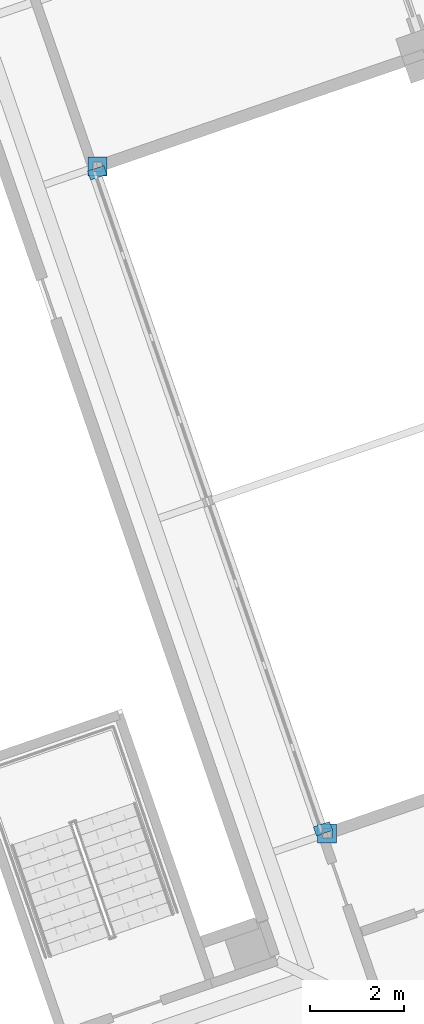
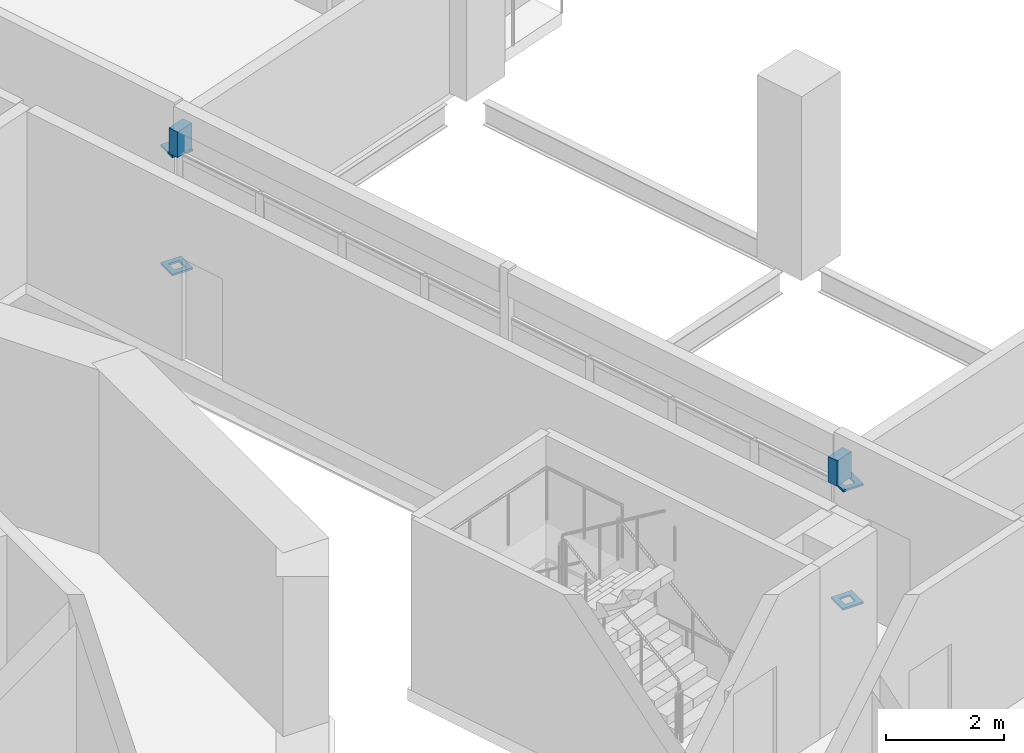
# One storey, part 15 of 22: 6 discrete accessories.
"""IFC4 building model written with IfcOpenShell, lengths in metres."""

from ifc_helpers import new_model, si_unit, direction, frame, origin, place, context, subcontext, project, spatial, polyline, outline, extrude, material, layer, layer_set, type_object, element, save


model = new_model("IFC4")

# Units and contexts
model_context = context("Model", 3, precision=1e-05, world=origin(), true_north=direction((0.0, 1.0)))
body_context = subcontext(model_context, "Body", "Model", "MODEL_VIEW")
ifc_project = project(units=[si_unit("LENGTHUNIT", "METRE"), si_unit("AREAUNIT", "SQUARE_METRE"), si_unit("VOLUMEUNIT", "CUBIC_METRE"), si_unit("PLANEANGLEUNIT", "RADIAN"), si_unit("MASSUNIT", "GRAM", prefix="KILO")], contexts=[model_context])

# Site, building, storey
site_placement = place(None, origin())
site = spatial("IfcSite", under=ifc_project, at=site_placement, CompositionType="ELEMENT")
building_placement = place(site_placement, origin())
building = spatial("IfcBuilding", under=site, at=building_placement, Name="Cantera Rosa Tower", CompositionType="ELEMENT")
storey_placement = place(building_placement, frame((0.0, 0.0, 115.5)))
storey = spatial("IfcBuildingStorey", under=building, at=storey_placement, Name="L23", CompositionType="ELEMENT", Elevation=115.5)

# Discrete accessories
ifc_material = material(Name="Steel ASTM A992 (Fy 345 MPa)", Category="steel")
ifc_layer = layer(ifc_material, 0.0400390625)
ifc_layer_set = layer_set([ifc_layer], Name="STEEL BEARING PLATE 40")
discrete_accessory_type = type_object("IfcDiscreteAccessoryType", Name="STEEL BEARING PLATE 40", PredefinedType="ANCHORPLATE", material=ifc_layer_set)
for number, where, name in (
    (1, (0.0, 0.0, 0.0), "POST PLATE L23-1F"),
    (2, (0.0, 0.0, 2.44189453125), "POST PLATE L23-1T"),
):
    element("IfcDiscreteAccessory", number, at=place(storey_placement, frame(where)), inside=storey, type_object=discrete_accessory_type, Name=name, PredefinedType="ANCHORPLATE", context=body_context, shape_type="SweptSolid", body=[
        extrude(outline(polyline([(21.248291015625, -4.744873046875), (21.648193359375, -4.744873046875), (21.648193359375, -4.3447265625), (21.248291015625, -4.3447265625), (21.248291015625, -4.744873046875)]), holes=[polyline([(21.34814453125, -4.644775390625), (21.548095703125, -4.644775390625), (21.548095703125, -4.44482421875), (21.34814453125, -4.44482421875), (21.34814453125, -4.644775390625)])]), origin(), (0.0, 0.0, 1.0), 0.0400390625),
    ])
for number, where, name in (
    (3, (0.0, 0.0, 0.0), "POST PLATE L23-2F"),
    (4, (0.0, 0.0, 2.44189453125), "POST PLATE L23-2T"),
):
    element("IfcDiscreteAccessory", number, at=place(storey_placement, frame(where)), inside=storey, type_object=discrete_accessory_type, Name=name, PredefinedType="ANCHORPLATE", context=body_context, shape_type="SweptSolid", body=[
        extrude(outline(polyline([(16.3515625, 9.475830078125), (16.751708984375, 9.475830078125), (16.751708984375, 9.875732421875), (16.3515625, 9.875732421875), (16.3515625, 9.475830078125)]), holes=[polyline([(16.45166015625, 9.57568359375), (16.651611328125, 9.57568359375), (16.651611328125, 9.77587890625), (16.45166015625, 9.77587890625), (16.45166015625, 9.57568359375)])]), origin(), (0.0, 0.0, 1.0), 0.0400390625),
    ])
discrete_accessory_1_placement = place(storey_placement, frame((0.0, 0.0, 2.48193359375)))
element("IfcDiscreteAccessory", 5, at=discrete_accessory_1_placement, inside=storey, type_object=discrete_accessory_type, Name="LINTEL PLATE L23-1", PredefinedType="ANCHORPLATE", context=body_context, shape_type="SweptSolid", body=[
    extrude(outline(polyline([(21.154541015625, -4.407958984375), (21.2197265625, -4.596923828125), (21.56591796875, -4.477783203125), (21.500732421875, -4.288818359375), (21.154541015625, -4.407958984375)])), origin(), (0.0, 0.0, 1.0), 0.528076171875),
])
discrete_accessory_2_placement = place(storey_placement, frame((0.0, 0.0, 2.48193359375)))
element("IfcDiscreteAccessory", 6, at=discrete_accessory_2_placement, inside=storey, type_object=discrete_accessory_type, Name="LINTEL PLATE L23-2", PredefinedType="ANCHORPLATE", context=body_context, shape_type="SweptSolid", body=[
    extrude(outline(polyline([(16.75048828125, 9.50634765625), (16.685546875, 9.695556640625), (16.33935546875, 9.576416015625), (16.404541015625, 9.38720703125), (16.75048828125, 9.50634765625)])), origin(), (0.0, 0.0, 1.0), 0.528076171875),
])

save(model, "model.ifc")
